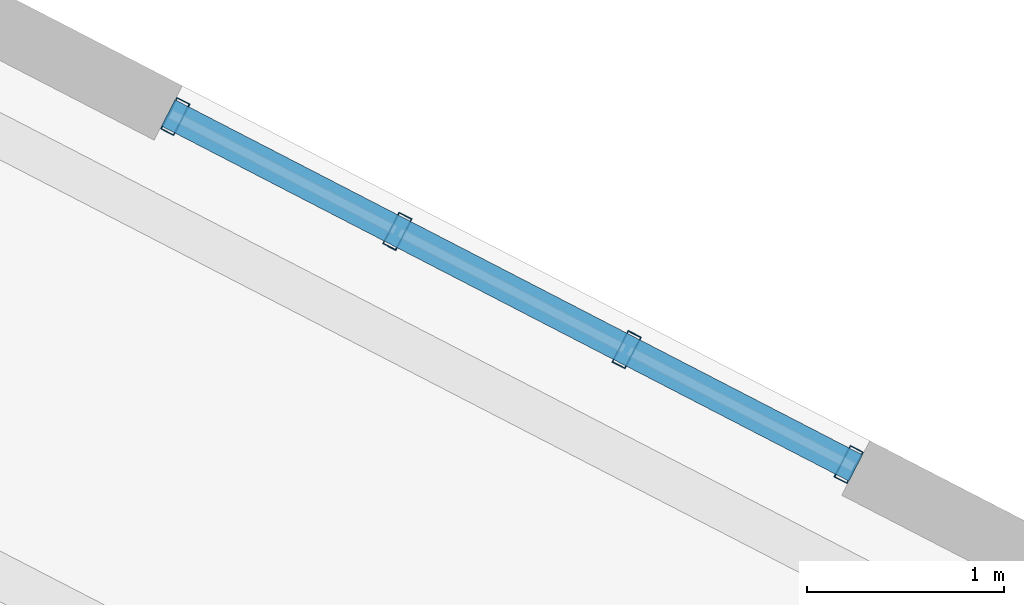
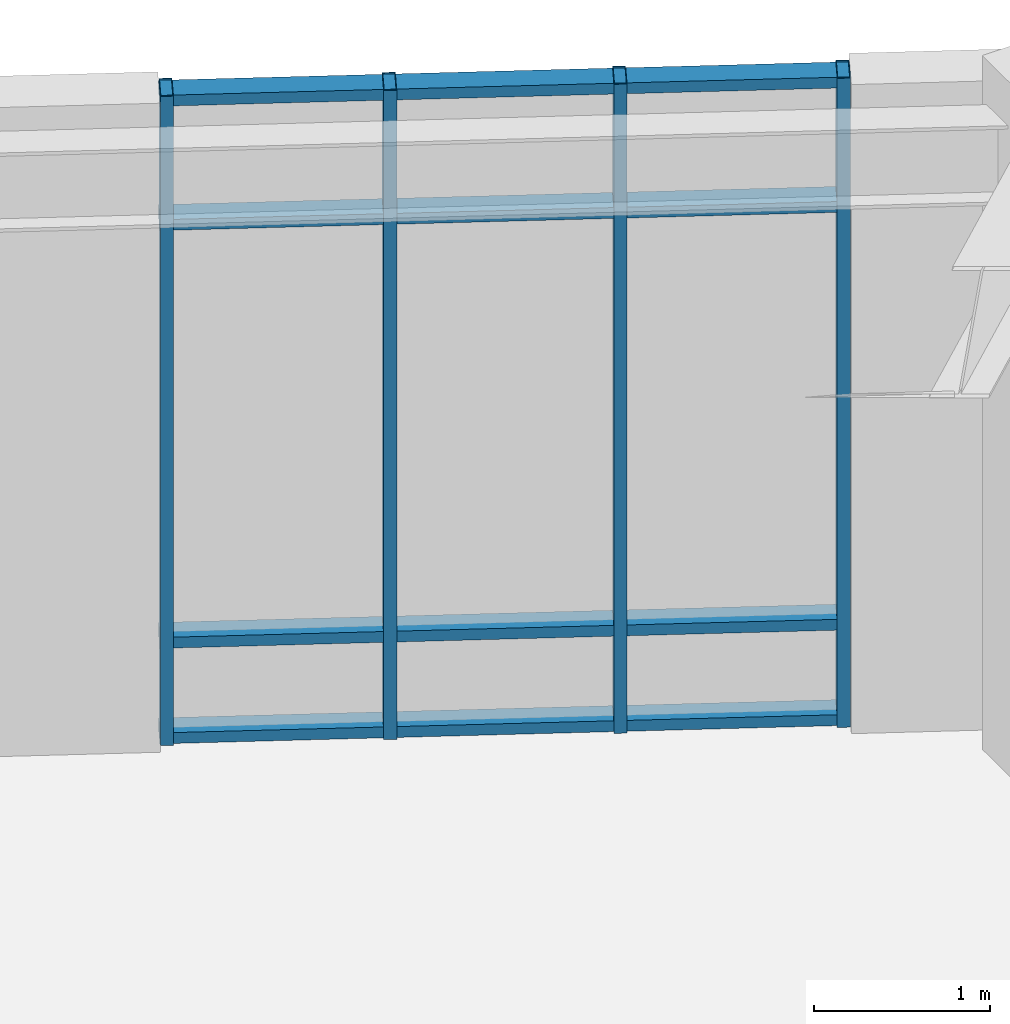
# One storey, part 8 of 19: 8 members, 1 element without a shape of its own.
"""IFC4 building model written with IfcOpenShell, lengths in metres."""

from ifc_helpers import new_model, si_unit, direction, frame, origin, origin_2d, place, context, subcontext, project, spatial, hollow_rectangle, extrude, material, layer, layer_set, material_profile, profile_set, type_object, element, aggregate, save


model = new_model("IFC4")

# Units and contexts
model_context = context("Model", 3, precision=1e-05, world=origin(), true_north=direction((0.0, 1.0)))
body_context = subcontext(model_context, "Body", "Model", "MODEL_VIEW")
ifc_project = project(units=[si_unit("LENGTHUNIT", "METRE"), si_unit("AREAUNIT", "SQUARE_METRE"), si_unit("VOLUMEUNIT", "CUBIC_METRE"), si_unit("PLANEANGLEUNIT", "RADIAN"), si_unit("MASSUNIT", "GRAM", prefix="KILO"), si_unit("THERMODYNAMICTEMPERATUREUNIT", "KELVIN"), si_unit("POWERUNIT", "WATT")], contexts=[model_context])

# Site, building, storey
site_placement = place(None, origin())
site = spatial("IfcSite", under=ifc_project, at=site_placement, CompositionType="ELEMENT")
building_placement = place(site_placement, origin())
building = spatial("IfcBuilding", under=site, at=building_placement, Name="Skarre Station Tower", CompositionType="ELEMENT")
storey_placement = place(building_placement, frame((0.0, 0.0, 275.10009765625)))
storey = spatial("IfcBuildingStorey", under=building, at=storey_placement, Name="L75", CompositionType="ELEMENT", Elevation=275.10009765625)

# Curtain wall, members
ifc_material_1 = material(Name="Thermally Broken Bronze-Anodized Aluminium & Triple Low-E Glass", Category="aluminium")
ifc_layer = layer(ifc_material_1, 0.219970703125, Name="Thermally Broken Bronze-Anodized Aluminium & Triple Low-E Glass")
ifc_layer_set = layer_set([ifc_layer], Name="Thermally Broken Bronze-Anodized Aluminium & Triple Low-E Glass")
curtain_wall_type = type_object("IfcCurtainWallType", Name="Observation Deck Panorama Unitised Curtain Wall", PredefinedType="NOTDEFINED", material=ifc_layer_set)
curtain_wall_placement = place(storey_placement, origin())
curtain_wall = element("IfcCurtainWall", 1, at=curtain_wall_placement, inside=storey, type_object=curtain_wall_type, Name="L75 Facet 0 Observatory Curtain Wall", PredefinedType="NOTDEFINED")
ifc_material_2 = material(Name="Anodized Aluminium 6063-T6", Category="aluminium")
ifc_material_profile_1 = material_profile(ifc_material_2, hollow_rectangle(XDim=0.074951171875, YDim=0.14990234375, WallThickness=0.00390625, at=origin_2d()), Name="Anodized Aluminium 6063-T6")
ifc_profile_set_1 = profile_set([ifc_material_profile_1], Name="Anodized Aluminium 6063-T6")
member_type_1 = type_object("IfcMemberType", Name="Curtain-Wall Secondary Transom 150x75", PredefinedType="USERDEFINED", material=ifc_profile_set_1)
member_1_placement = place(storey_placement, frame((41.60009765625, 38.089111328125, 0.039794921875), z_axis=(0.888470771822, -0.458933206053, 0.0), x_axis=(0.0, 0.0, 1.0)))
member_1 = element("IfcMember", 2, at=member_1_placement, type_object=member_type_1, Name="L75 Facet 0 Observatory Curtain Wall Transom 1", ObjectType="TRANSOM", PredefinedType="USERDEFINED", context=body_context, shape_type="SweptSolid", body=[
    extrude(hollow_rectangle(XDim=0.074951171875, YDim=0.14990234375, WallThickness=0.00390625, at=origin_2d()), origin(), (0.0, 0.0, 1.0), 3.920166015625),
])
member_2_placement = place(storey_placement, frame((41.60009765625, 38.089111328125, 0.699951171875), z_axis=(0.888470771822, -0.458933206053, 0.0), x_axis=(0.0, 0.0, 1.0)))
member_2 = element("IfcMember", 3, at=member_2_placement, type_object=member_type_1, Name="L75 Facet 0 Observatory Curtain Wall Transom 2", ObjectType="TRANSOM", PredefinedType="USERDEFINED", context=body_context, shape_type="SweptSolid", body=[
    extrude(hollow_rectangle(XDim=0.074951171875, YDim=0.14990234375, WallThickness=0.00390625, at=origin_2d()), origin(), (0.0, 0.0, 1.0), 3.920166015625),
])
member_3_placement = place(storey_placement, frame((41.60009765625, 38.089111328125, 3.58984375), z_axis=(0.888470771822, -0.458933206053, 0.0), x_axis=(0.0, 0.0, 1.0)))
member_3 = element("IfcMember", 4, at=member_3_placement, type_object=member_type_1, Name="L75 Facet 0 Observatory Curtain Wall Transom 3", ObjectType="TRANSOM", PredefinedType="USERDEFINED", context=body_context, shape_type="SweptSolid", body=[
    extrude(hollow_rectangle(XDim=0.074951171875, YDim=0.14990234375, WallThickness=0.00390625, at=origin_2d()), origin(), (0.0, 0.0, 1.0), 3.920166015625),
])
member_4_placement = place(storey_placement, frame((41.60009765625, 38.089111328125, 4.449951171875), z_axis=(0.888470771822, -0.458933206053, 0.0), x_axis=(0.0, 0.0, 1.0)))
member_4 = element("IfcMember", 5, at=member_4_placement, type_object=member_type_1, Name="L75 Facet 0 Observatory Curtain Wall Transom 4", ObjectType="TRANSOM", PredefinedType="USERDEFINED", context=body_context, shape_type="SweptSolid", body=[
    extrude(hollow_rectangle(XDim=0.074951171875, YDim=0.14990234375, WallThickness=0.00390625, at=origin_2d()), origin(), (0.0, 0.0, 1.0), 3.920166015625),
])
ifc_material_profile_2 = material_profile(ifc_material_2, hollow_rectangle(XDim=0.074951171875, YDim=0.179931640625, WallThickness=0.00390625, at=origin_2d()), Name="Anodized Aluminium 6063-T6")
ifc_profile_set_2 = profile_set([ifc_material_profile_2], Name="Anodized Aluminium 6063-T6")
member_type_2 = type_object("IfcMemberType", Name="Curtain-Wall Unitised Tower Mullion 180x75", PredefinedType="MULLION", material=ifc_profile_set_2)
member_5_placement = place(storey_placement, frame((41.635986328125, 38.071044921875, 0.0), z_axis=(0.0, 0.0, 1.0), x_axis=(0.88848110948, -0.458913192332, 0.0)))
member_5 = element("IfcMember", 6, at=member_5_placement, type_object=member_type_2, Name="L75 Facet 0 Observatory Curtain Wall Mullion 1", PredefinedType="MULLION", context=body_context, shape_type="SweptSolid", body=[
    extrude(hollow_rectangle(XDim=0.074951171875, YDim=0.179931640625, WallThickness=0.00390625, at=origin_2d()), origin(), (0.0, 0.0, 1.0), 4.489990234375),
])
member_6_placement = place(storey_placement, frame((42.760986328125, 37.489013671875, 0.0), z_axis=(0.0, 0.0, 1.0), x_axis=(0.88848110948, -0.458913192332, 0.0)))
member_6 = element("IfcMember", 7, at=member_6_placement, type_object=member_type_2, Name="L75 Facet 0 Observatory Curtain Wall Mullion 2", PredefinedType="MULLION", context=body_context, shape_type="SweptSolid", body=[
    extrude(hollow_rectangle(XDim=0.074951171875, YDim=0.179931640625, WallThickness=0.00390625, at=origin_2d()), origin(), (0.0, 0.0, 1.0), 4.489990234375),
])
member_7_placement = place(storey_placement, frame((43.922119140625, 36.889892578125, 0.0), z_axis=(0.0, 0.0, 1.0), x_axis=(0.88848110948, -0.458913192332, 0.0)))
member_7 = element("IfcMember", 8, at=member_7_placement, type_object=member_type_2, Name="L75 Facet 0 Observatory Curtain Wall Mullion 3", PredefinedType="MULLION", context=body_context, shape_type="SweptSolid", body=[
    extrude(hollow_rectangle(XDim=0.074951171875, YDim=0.179931640625, WallThickness=0.00390625, at=origin_2d()), origin(), (0.0, 0.0, 1.0), 4.489990234375),
])
member_8_placement = place(storey_placement, frame((45.047119140625, 36.30810546875, 0.0), z_axis=(0.0, 0.0, 1.0), x_axis=(0.88848110948, -0.458913192332, 0.0)))
member_8 = element("IfcMember", 9, at=member_8_placement, type_object=member_type_2, Name="L75 Facet 0 Observatory Curtain Wall Mullion 4", PredefinedType="MULLION", context=body_context, shape_type="SweptSolid", body=[
    extrude(hollow_rectangle(XDim=0.074951171875, YDim=0.179931640625, WallThickness=0.00390625, at=origin_2d()), origin(), (0.0, 0.0, 1.0), 4.489990234375),
])
aggregate(curtain_wall, [member_5, member_6, member_7, member_8, member_1, member_2, member_3, member_4])

save(model, "model.ifc")
